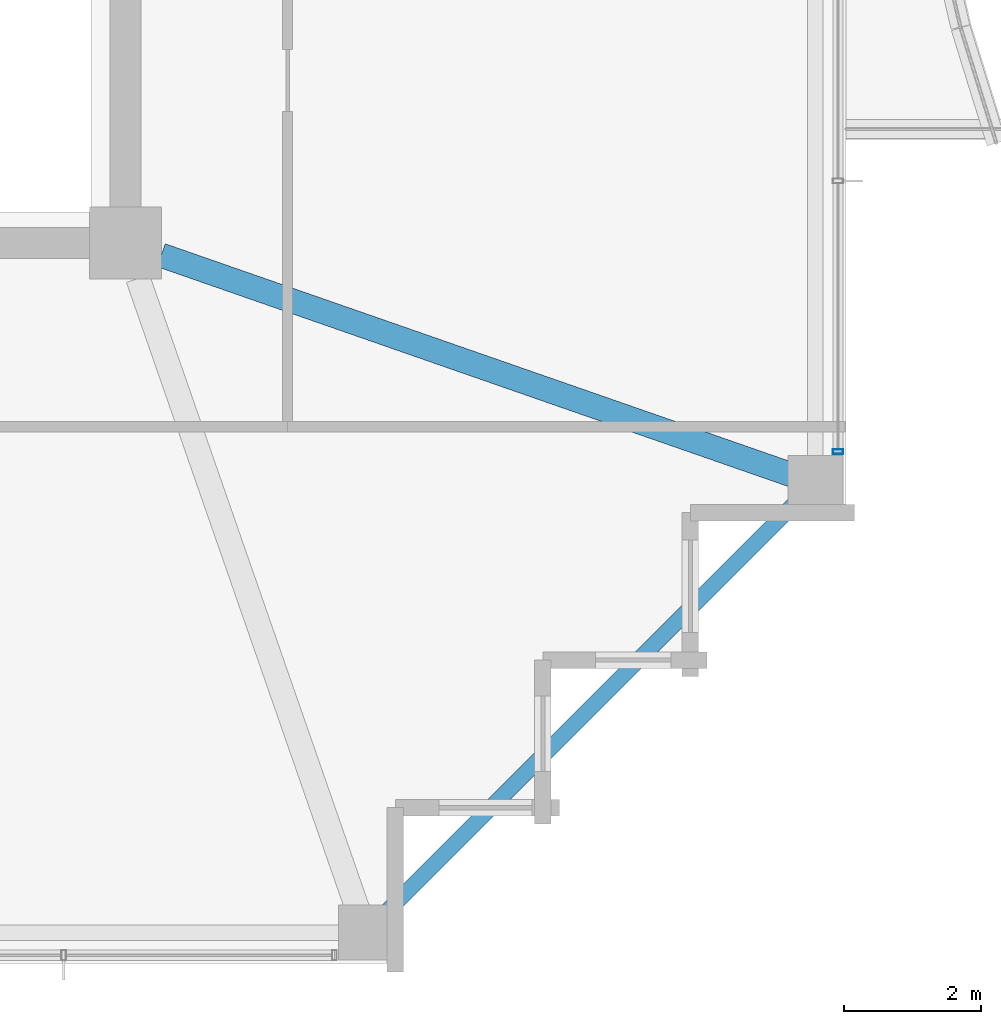
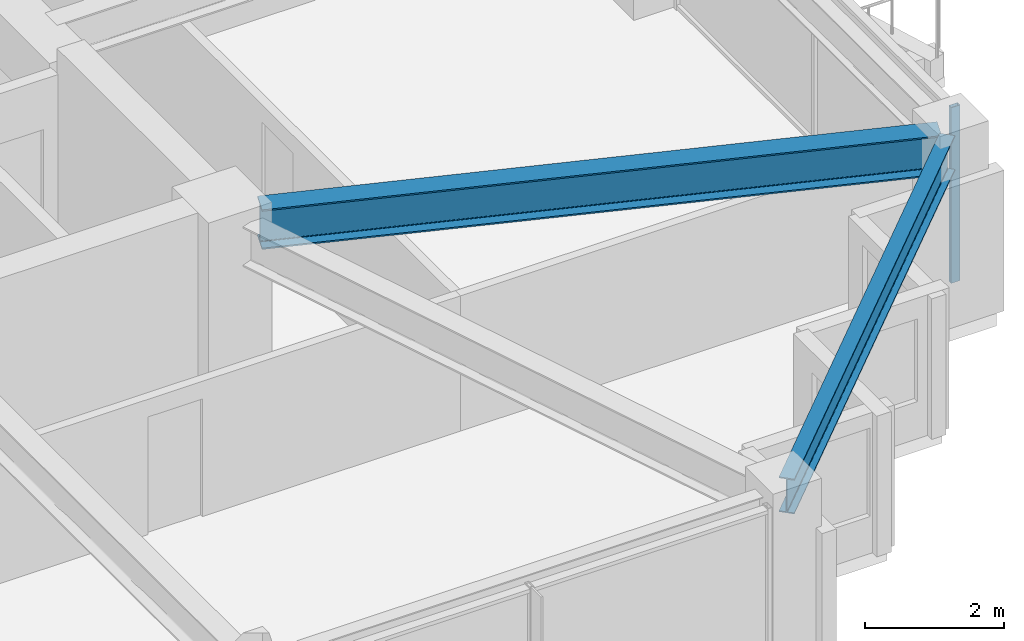
# One storey, part 11 of 34: 2 beams, 1 member, 1 element without a shape of its own.
"""IFC4 building model written with IfcOpenShell, lengths in metres."""

import ifcopenshell
import ifcopenshell.guid

model = None  # the IFC model being written
_history = None  # IfcOwnerHistory: only IFC2X3 demands one
_inside = {}  # id of a spatial element -> (the spatial element, [elements in it])
_under = {}  # id of a project, library or spatial element -> (it, [spatial elements below it])
_declared = {}  # id of a project -> (the project, [libraries it declares])
_typed = {}  # id of a type object -> (the type object, [elements of that type])
_made_of = {}  # id of a material, layer set ... -> (it, [elements and type objects made of it])


def new_model(schema):
    """Start an empty IFC model of exactly this schema.

    Asked for "IFC4X3", IfcOpenShell would pick the latest addendum, in which some entities
    have other attributes; the version numbers below select the first issue.
    IFC2X3 requires an IfcOwnerHistory on every rooted entity: one is made here for all.
    """
    global model, _history
    if schema == "IFC4X3":
        model = ifcopenshell.file(schema_version=(4, 3, 0, 0))
    else:
        model = ifcopenshell.file(schema=schema)
    _inside.clear()
    _under.clear()
    _declared.clear()
    _typed.clear()
    _made_of.clear()
    _history = None
    if model.schema == "IFC2X3":
        org = make("IfcOrganization", Name="unknown")
        user = make(
            "IfcPersonAndOrganization",
            ThePerson=make("IfcPerson", FamilyName="unknown"),
            TheOrganization=org,
        )
        app = make(
            "IfcApplication",
            ApplicationDeveloper=org,
            Version="unknown",
            ApplicationFullName="unknown",
            ApplicationIdentifier="unknown",
        )
        _history = make(
            "IfcOwnerHistory",
            OwningUser=user,
            OwningApplication=app,
            ChangeAction="ADDED",
            CreationDate=0,
        )
    return model


def make(cls, **values):
    """One entity of the class cls with the attributes given. An attribute that is None is left unset."""
    return model.create_entity(
        cls, **{name: value for name, value in values.items() if value is not None}
    )


def rooted(cls, **values):
    """An entity with a GlobalId (a new one), such as an element, a storey or a relation."""
    return make(cls, GlobalId=ifcopenshell.guid.new(), OwnerHistory=_history, **values)


def si_unit(unit_type, name, prefix=None):
    """IfcSIUnit, for example si_unit("LENGTHUNIT", "METRE", prefix="MILLI")."""
    return make("IfcSIUnit", UnitType=unit_type, Prefix=prefix, Name=name)


def assignment(units):
    """IfcUnitAssignment: the units of a project."""
    return None if units is None else make("IfcUnitAssignment", Units=units)


def point(xyz):
    """IfcCartesianPoint."""
    return None if xyz is None else make("IfcCartesianPoint", Coordinates=xyz)


def direction(xyz):
    """IfcDirection."""
    return None if xyz is None else make("IfcDirection", DirectionRatios=xyz)


def frame(location, z_axis=None, x_axis=None):
    """IfcAxis2Placement3D, a coordinate frame: its origin and axes. An axis left out is left unset."""
    return make(
        "IfcAxis2Placement3D",
        Location=point(location),
        Axis=direction(z_axis),
        RefDirection=direction(x_axis),
    )


def frame_2d(location, x_axis=None):
    """IfcAxis2Placement2D, a coordinate frame in the plane: its origin and x axis."""
    return make(
        "IfcAxis2Placement2D", Location=point(location), RefDirection=direction(x_axis)
    )


def origin():
    """The frame at (0, 0, 0) with its axes left unset."""
    return frame((0.0, 0.0, 0.0))


def origin_2d():
    """The frame at (0, 0) in the plane with its x axis left unset."""
    return frame_2d((0.0, 0.0))


def place(relative_to, where):
    """IfcLocalPlacement: puts the frame where relative to a parent placement (None: the world)."""
    return make(
        "IfcLocalPlacement", PlacementRelTo=relative_to, RelativePlacement=where
    )


def context(
    kind, dimensions, precision=None, world=None, true_north=None, identifier=None
):
    """IfcGeometricRepresentationContext, for example the 3D "Model" context."""
    return make(
        "IfcGeometricRepresentationContext",
        ContextIdentifier=identifier,
        ContextType=kind,
        CoordinateSpaceDimension=dimensions,
        Precision=precision,
        WorldCoordinateSystem=world,
        TrueNorth=true_north,
    )


def subcontext(parent, identifier, kind, view, scale=None):
    """IfcGeometricRepresentationSubContext, for example "Body" below "Model"."""
    return make(
        "IfcGeometricRepresentationSubContext",
        ContextIdentifier=identifier,
        ContextType=kind,
        ParentContext=parent,
        TargetScale=scale,
        TargetView=view,
    )


def project(units=None, contexts=None):
    """IfcProject with its units and contexts."""
    return rooted(
        "IfcProject",
        Name="project",
        RepresentationContexts=contexts,
        UnitsInContext=assignment(units),
    )


def spatial(cls, under=None, at=None, **own):
    """A site, building, storey or space (cls), placed at a placement, below another one or the project."""
    s = rooted(cls, ObjectPlacement=at, **own)
    if under is not None:
        _under.setdefault(under.id(), (under, []))[1].append(s)
    return s


def profile(cls, at=None, kind="AREA", **sizes):
    """A parametric profile (cls). Its sizes go by their IFC names, for example OverallWidth=200.0."""
    return make(cls, ProfileType=kind, Position=at, **sizes)


def hollow_rectangle(**sizes):
    """IfcRectangleHollowProfileDef."""
    return profile("IfcRectangleHollowProfileDef", **sizes)


def i_section(**sizes):
    """IfcIShapeProfileDef."""
    return profile("IfcIShapeProfileDef", **sizes)


def extrude(swept, where, along, depth):
    """IfcExtrudedAreaSolid: the profile swept, set in the frame where, extruded along a direction by depth."""
    return make(
        "IfcExtrudedAreaSolid",
        SweptArea=swept,
        Position=where,
        ExtrudedDirection=direction(along),
        Depth=depth,
    )


def shape(context_of_items, identifier, shape_type, items):
    """IfcShapeRepresentation: the items that make up one representation, for example the "Body"."""
    return make(
        "IfcShapeRepresentation",
        ContextOfItems=context_of_items,
        RepresentationIdentifier=identifier,
        RepresentationType=shape_type,
        Items=items,
    )


def material(Name=None, Category=None):
    """IfcMaterial."""
    return make("IfcMaterial", Name=Name, Category=Category)


def material_profile(
    of_material, cross_section, Name=None, Category=None, Priority=None
):
    """IfcMaterialProfile: a cross section and its material."""
    return make(
        "IfcMaterialProfile",
        Name=Name,
        Material=of_material,
        Profile=cross_section,
        Priority=Priority,
        Category=Category,
    )


def profile_set(profiles, Name=None, composite=None):
    """IfcMaterialProfileSet."""
    return make(
        "IfcMaterialProfileSet",
        Name=Name,
        MaterialProfiles=profiles,
        CompositeProfile=composite,
    )


def made_of(thing, what):
    """Note that an element or type object is made of a material, layer set ...; save() writes the relation."""
    if what is not None:
        _made_of.setdefault(what.id(), (what, []))[1].append(thing)
    return thing


def type_object(cls, material=None, **own):
    """A type object (cls), such as IfcWallType, which elements share."""
    return made_of(rooted(cls, **own), material)


def element(
    cls,
    number,
    at=None,
    inside=None,
    cuts=None,
    type_object=None,
    material=None,
    context=None,
    identifier="Body",
    shape_type=None,
    held_by="IfcProductDefinitionShape",
    body=None,
    shapes=None,
    **own,
):
    """One element of the class cls, such as IfcWall. Its Tag is "e" and its number.

    at: its placement. inside: the storey or other place that contains it. cuts: it is an
    opening in that element (IfcRelVoidsElement). A single representation is given by context,
    identifier, shape_type and body (its items); several are given by shapes. held_by: the class
    of the entity that holds the representations. save() writes the other relations.
    """
    e = rooted(cls, Tag="e%d" % number, ObjectPlacement=at, **own)
    if body is not None:
        shapes = [shape(context, identifier, shape_type, body)]
    if shapes is not None:
        e.Representation = make(held_by, Representations=shapes)
    if inside is not None:
        _inside.setdefault(inside.id(), (inside, []))[1].append(e)
    if cuts is not None:
        rooted(
            "IfcRelVoidsElement", RelatingBuildingElement=cuts, RelatedOpeningElement=e
        )
    if type_object is not None:
        _typed.setdefault(type_object.id(), (type_object, []))[1].append(e)
    return made_of(e, material)


def aggregate(whole, parts):
    """IfcRelAggregates: a whole, such as a stair, and the parts it consists of."""
    return rooted("IfcRelAggregates", RelatingObject=whole, RelatedObjects=parts)


def save(model, path):
    """Write the relations noted so far, then the file.

    IfcRelAggregates (storeys below a building ...), IfcRelContainedInSpatialStructure (elements
    in a storey), IfcRelDefinesByType, IfcRelAssociatesMaterial and IfcRelDeclares: one each for
    every whole, place, type object, material and project.
    """
    for whole, parts in _under.values():
        aggregate(whole, parts)
    for where, things in _inside.values():
        rooted(
            "IfcRelContainedInSpatialStructure",
            RelatedElements=things,
            RelatingStructure=where,
        )
    for kind, things in _typed.values():
        rooted("IfcRelDefinesByType", RelatedObjects=things, RelatingType=kind)
    for what, things in _made_of.values():
        rooted("IfcRelAssociatesMaterial", RelatedObjects=things, RelatingMaterial=what)
    for by, libraries in _declared.values():
        rooted("IfcRelDeclares", RelatingContext=by, RelatedDefinitions=libraries)
    model.write(path)


model = new_model("IFC4")

# Units and contexts
model_context = context("Model", 3, precision=1e-05, world=origin(), true_north=direction((0.0, 1.0)))
body_context = subcontext(model_context, "Body", "Model", "MODEL_VIEW")
ifc_project = project(units=[si_unit("LENGTHUNIT", "METRE"), si_unit("AREAUNIT", "SQUARE_METRE"), si_unit("VOLUMEUNIT", "CUBIC_METRE"), si_unit("PLANEANGLEUNIT", "RADIAN"), si_unit("MASSUNIT", "GRAM", prefix="KILO")], contexts=[model_context])

# Site, building, storey
site_placement = place(None, origin())
site = spatial("IfcSite", under=ifc_project, at=site_placement, CompositionType="ELEMENT")
building_placement = place(site_placement, origin())
building = spatial("IfcBuilding", under=site, at=building_placement, Name="Kolvaren Belvedere", CompositionType="ELEMENT")
storey_placement = place(building_placement, frame((0.0, 0.0, 222.89990234375)))
storey = spatial("IfcBuildingStorey", under=building, at=storey_placement, Name="L65", CompositionType="ELEMENT", Elevation=222.89990234375)

# Beams
ifc_material_1 = material(Name="Structural steel ASTM A992 Grade 50", Category="steel")
ifc_material_profile_1 = material_profile(ifc_material_1, i_section(OverallWidth=0.35498046875, OverallDepth=0.696044921875, WebThickness=0.015380859375, FlangeThickness=0.02490234375, FilletRadius=0.02197265625, at=origin_2d()), Name="W27X146")
ifc_profile_set_1 = profile_set([ifc_material_profile_1], Name="Structural steel ASTM A992 Grade 50")
beam_type_1 = type_object("IfcBeamType", Name="BM-GIRD-W27X146", PredefinedType="BEAM", material=ifc_profile_set_1)
beam_1_placement = place(storey_placement, frame((10.41943359375, -10.080810546875, 2.732177734375), z_axis=(0.944365399758, -0.328898147971, 0.0), x_axis=(0.328898147971, 0.944365399758, 0.0)))
element("IfcBeam", 1, at=beam_1_placement, inside=storey, type_object=beam_type_1, Name="L65 Corner Core-to-Perimeter Girder CC2-E1", PredefinedType="BEAM", context=body_context, shape_type="SweptSolid", body=[
    extrude(i_section(OverallWidth=0.35498046875, OverallDepth=0.696044921875, WebThickness=0.015380859375, FlangeThickness=0.02490234375, FilletRadius=0.02197265625, at=origin_2d()), origin(), (0.0, 0.0, 1.0), 9.931884765625),
])
ifc_material_2 = material(Name="Structural steel ASTM A992 Grade 50", Category="steel")
ifc_material_profile_2 = material_profile(ifc_material_2, i_section(OverallWidth=0.22900390625, OverallDepth=0.612060546875, WebThickness=0.011962890625, FlangeThickness=0.01953125, FilletRadius=0.01806640625, at=origin_2d()), Name="W24X84")
ifc_profile_set_2 = profile_set([ifc_material_profile_2], Name="Structural steel ASTM A992 Grade 50")
beam_type_2 = type_object("IfcBeamType", Name="BM-SPAN-W24X84", PredefinedType="SPANDREL", material=ifc_profile_set_2)
beam_2_placement = place(storey_placement, frame((13.52734375, -19.82275390625, 2.774169921875), z_axis=(0.707106781187, 0.707106781187, 0.0), x_axis=(-0.707106781187, 0.707106781187, 0.0)))
element("IfcBeam", 2, at=beam_2_placement, inside=storey, type_object=beam_type_2, Name="L65 Perimeter Spandrel S4-E1", PredefinedType="SPANDREL", context=body_context, shape_type="SweptSolid", body=[
    extrude(i_section(OverallWidth=0.22900390625, OverallDepth=0.612060546875, WebThickness=0.011962890625, FlangeThickness=0.01953125, FilletRadius=0.01806640625, at=origin_2d()), origin(), (0.0, 0.0, 1.0), 8.903076171875),
])

# Curtain wall, member
ifc_material_3 = material(Name="Anodised pale-metal aluminium AA 6063-T6", Category="aluminium")
curtain_wall_type = type_object("IfcCurtainWallType", Name="CW-Z5-HIGH", PredefinedType="NOTDEFINED", material=ifc_material_3)
curtain_wall_placement = place(storey_placement, origin())
curtain_wall = element("IfcCurtainWall", 3, at=curtain_wall_placement, inside=storey, type_object=curtain_wall_type, Name="L65 Unitised Curtain Wall FCW-L65-E2-B2", PredefinedType="NOTDEFINED")
ifc_material_4 = material(Name="Anodised pale-metal aluminium AA 6063-T6", Category="aluminium")
ifc_material_profile_3 = material_profile(ifc_material_4, hollow_rectangle(XDim=0.070068359375, YDim=0.14990234375, WallThickness=0.004150390625, at=origin_2d()), Name="ALU-MUL-150X70")
ifc_profile_set_3 = profile_set([ifc_material_profile_3], Name="Anodised pale-metal aluminium AA 6063-T6")
member_type = type_object("IfcMemberType", Name="CW-MUL-150", PredefinedType="MULLION", material=ifc_profile_set_3)
member_placement = place(storey_placement, frame((20.280029296875, -12.945068359375, 0.0), z_axis=(0.0, 0.0, 1.0), x_axis=(0.0, 1.0, 0.0)))
member = element("IfcMember", 4, at=member_placement, type_object=member_type, Name="FCW-L65-E2-B2 Unitised Mullion 3", PredefinedType="MULLION", context=body_context, shape_type="SweptSolid", body=[
    extrude(hollow_rectangle(XDim=0.070068359375, YDim=0.14990234375, WallThickness=0.004150390625, at=origin_2d()), origin(), (0.0, 0.0, 1.0), 3.080078125),
])
aggregate(curtain_wall, [member])

save(model, "model.ifc")
